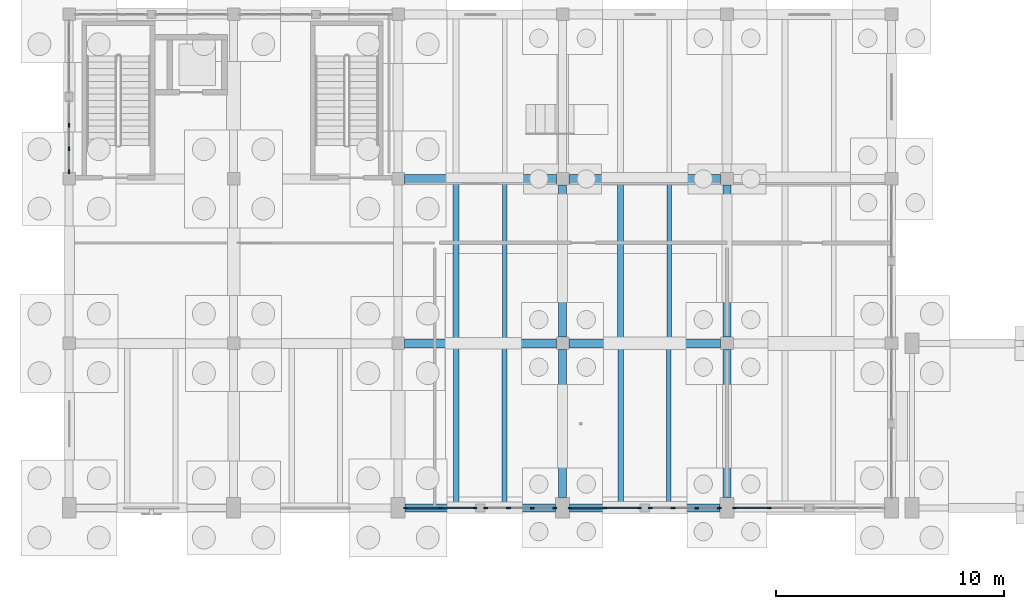
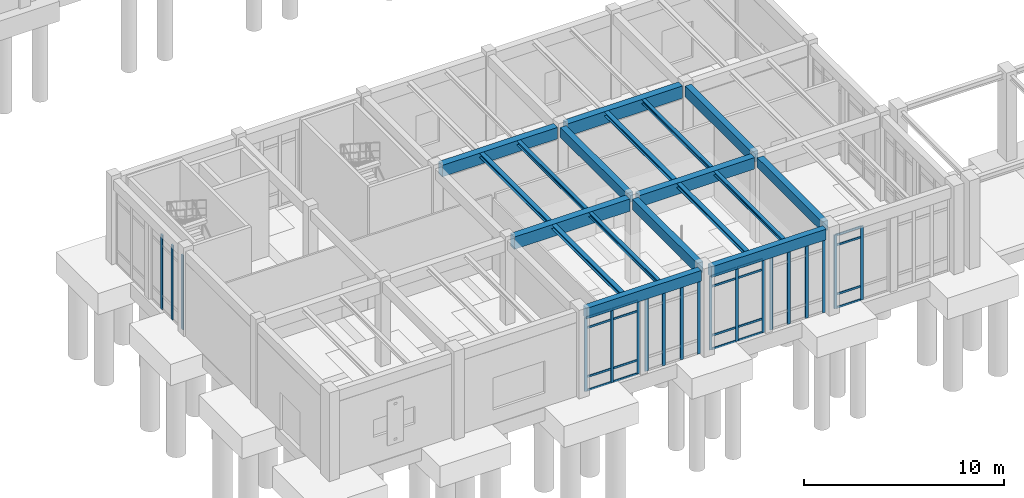
# One storey, part 17 of 93: 39 members, 18 beams, 6 elements without a shape of their own.
"""IFC4 building model written with IfcOpenShell, lengths in metres."""

import ifcopenshell
import ifcopenshell.guid

model = None  # the IFC model being written
_history = None  # IfcOwnerHistory: only IFC2X3 demands one
_inside = {}  # id of a spatial element -> (the spatial element, [elements in it])
_under = {}  # id of a project, library or spatial element -> (it, [spatial elements below it])
_declared = {}  # id of a project -> (the project, [libraries it declares])
_typed = {}  # id of a type object -> (the type object, [elements of that type])
_made_of = {}  # id of a material, layer set ... -> (it, [elements and type objects made of it])


def new_model(schema):
    """Start an empty IFC model of exactly this schema.

    Asked for "IFC4X3", IfcOpenShell would pick the latest addendum, in which some entities
    have other attributes; the version numbers below select the first issue.
    IFC2X3 requires an IfcOwnerHistory on every rooted entity: one is made here for all.
    """
    global model, _history
    if schema == "IFC4X3":
        model = ifcopenshell.file(schema_version=(4, 3, 0, 0))
    else:
        model = ifcopenshell.file(schema=schema)
    _inside.clear()
    _under.clear()
    _declared.clear()
    _typed.clear()
    _made_of.clear()
    _history = None
    if model.schema == "IFC2X3":
        org = make("IfcOrganization", Name="unknown")
        user = make(
            "IfcPersonAndOrganization",
            ThePerson=make("IfcPerson", FamilyName="unknown"),
            TheOrganization=org,
        )
        app = make(
            "IfcApplication",
            ApplicationDeveloper=org,
            Version="unknown",
            ApplicationFullName="unknown",
            ApplicationIdentifier="unknown",
        )
        _history = make(
            "IfcOwnerHistory",
            OwningUser=user,
            OwningApplication=app,
            ChangeAction="ADDED",
            CreationDate=0,
        )
    return model


def make(cls, **values):
    """One entity of the class cls with the attributes given. An attribute that is None is left unset."""
    return model.create_entity(
        cls, **{name: value for name, value in values.items() if value is not None}
    )


def rooted(cls, **values):
    """An entity with a GlobalId (a new one), such as an element, a storey or a relation."""
    return make(cls, GlobalId=ifcopenshell.guid.new(), OwnerHistory=_history, **values)


def si_unit(unit_type, name, prefix=None):
    """IfcSIUnit, for example si_unit("LENGTHUNIT", "METRE", prefix="MILLI")."""
    return make("IfcSIUnit", UnitType=unit_type, Prefix=prefix, Name=name)


def assignment(units):
    """IfcUnitAssignment: the units of a project."""
    return None if units is None else make("IfcUnitAssignment", Units=units)


def point(xyz):
    """IfcCartesianPoint."""
    return None if xyz is None else make("IfcCartesianPoint", Coordinates=xyz)


def direction(xyz):
    """IfcDirection."""
    return None if xyz is None else make("IfcDirection", DirectionRatios=xyz)


def frame(location, z_axis=None, x_axis=None):
    """IfcAxis2Placement3D, a coordinate frame: its origin and axes. An axis left out is left unset."""
    return make(
        "IfcAxis2Placement3D",
        Location=point(location),
        Axis=direction(z_axis),
        RefDirection=direction(x_axis),
    )


def frame_2d(location, x_axis=None):
    """IfcAxis2Placement2D, a coordinate frame in the plane: its origin and x axis."""
    return make(
        "IfcAxis2Placement2D", Location=point(location), RefDirection=direction(x_axis)
    )


def origin():
    """The frame at (0, 0, 0) with its axes left unset."""
    return frame((0.0, 0.0, 0.0))


def origin_2d():
    """The frame at (0, 0) in the plane with its x axis left unset."""
    return frame_2d((0.0, 0.0))


def place(relative_to, where):
    """IfcLocalPlacement: puts the frame where relative to a parent placement (None: the world)."""
    return make(
        "IfcLocalPlacement", PlacementRelTo=relative_to, RelativePlacement=where
    )


def context(
    kind, dimensions, precision=None, world=None, true_north=None, identifier=None
):
    """IfcGeometricRepresentationContext, for example the 3D "Model" context."""
    return make(
        "IfcGeometricRepresentationContext",
        ContextIdentifier=identifier,
        ContextType=kind,
        CoordinateSpaceDimension=dimensions,
        Precision=precision,
        WorldCoordinateSystem=world,
        TrueNorth=true_north,
    )


def subcontext(parent, identifier, kind, view, scale=None):
    """IfcGeometricRepresentationSubContext, for example "Body" below "Model"."""
    return make(
        "IfcGeometricRepresentationSubContext",
        ContextIdentifier=identifier,
        ContextType=kind,
        ParentContext=parent,
        TargetScale=scale,
        TargetView=view,
    )


def project(units=None, contexts=None):
    """IfcProject with its units and contexts."""
    return rooted(
        "IfcProject",
        Name="project",
        RepresentationContexts=contexts,
        UnitsInContext=assignment(units),
    )


def spatial(cls, under=None, at=None, **own):
    """A site, building, storey or space (cls), placed at a placement, below another one or the project."""
    s = rooted(cls, ObjectPlacement=at, **own)
    if under is not None:
        _under.setdefault(under.id(), (under, []))[1].append(s)
    return s


def profile(cls, at=None, kind="AREA", **sizes):
    """A parametric profile (cls). Its sizes go by their IFC names, for example OverallWidth=200.0."""
    return make(cls, ProfileType=kind, Position=at, **sizes)


def rectangle(**sizes):
    """IfcRectangleProfileDef."""
    return profile("IfcRectangleProfileDef", **sizes)


def i_section(**sizes):
    """IfcIShapeProfileDef."""
    return profile("IfcIShapeProfileDef", **sizes)


def extrude(swept, where, along, depth):
    """IfcExtrudedAreaSolid: the profile swept, set in the frame where, extruded along a direction by depth."""
    return make(
        "IfcExtrudedAreaSolid",
        SweptArea=swept,
        Position=where,
        ExtrudedDirection=direction(along),
        Depth=depth,
    )


def shape(context_of_items, identifier, shape_type, items):
    """IfcShapeRepresentation: the items that make up one representation, for example the "Body"."""
    return make(
        "IfcShapeRepresentation",
        ContextOfItems=context_of_items,
        RepresentationIdentifier=identifier,
        RepresentationType=shape_type,
        Items=items,
    )


def material(Name=None, Category=None):
    """IfcMaterial."""
    return make("IfcMaterial", Name=Name, Category=Category)


def layer(
    of_material, thickness, ventilated=None, Name=None, Category=None, Priority=None
):
    """IfcMaterialLayer: one layer of a wall or slab, of a material (None: an air gap)."""
    return make(
        "IfcMaterialLayer",
        Material=of_material,
        LayerThickness=thickness,
        IsVentilated=ventilated,
        Name=Name,
        Category=Category,
        Priority=Priority,
    )


def layer_set(layers, Name=None):
    """IfcMaterialLayerSet."""
    return make("IfcMaterialLayerSet", MaterialLayers=layers, LayerSetName=Name)


def material_profile(
    of_material, cross_section, Name=None, Category=None, Priority=None
):
    """IfcMaterialProfile: a cross section and its material."""
    return make(
        "IfcMaterialProfile",
        Name=Name,
        Material=of_material,
        Profile=cross_section,
        Priority=Priority,
        Category=Category,
    )


def profile_set(profiles, Name=None, composite=None):
    """IfcMaterialProfileSet."""
    return make(
        "IfcMaterialProfileSet",
        Name=Name,
        MaterialProfiles=profiles,
        CompositeProfile=composite,
    )


def made_of(thing, what):
    """Note that an element or type object is made of a material, layer set ...; save() writes the relation."""
    if what is not None:
        _made_of.setdefault(what.id(), (what, []))[1].append(thing)
    return thing


def type_object(cls, material=None, **own):
    """A type object (cls), such as IfcWallType, which elements share."""
    return made_of(rooted(cls, **own), material)


def element(
    cls,
    number,
    at=None,
    inside=None,
    cuts=None,
    type_object=None,
    material=None,
    context=None,
    identifier="Body",
    shape_type=None,
    held_by="IfcProductDefinitionShape",
    body=None,
    shapes=None,
    **own,
):
    """One element of the class cls, such as IfcWall. Its Tag is "e" and its number.

    at: its placement. inside: the storey or other place that contains it. cuts: it is an
    opening in that element (IfcRelVoidsElement). A single representation is given by context,
    identifier, shape_type and body (its items); several are given by shapes. held_by: the class
    of the entity that holds the representations. save() writes the other relations.
    """
    e = rooted(cls, Tag="e%d" % number, ObjectPlacement=at, **own)
    if body is not None:
        shapes = [shape(context, identifier, shape_type, body)]
    if shapes is not None:
        e.Representation = make(held_by, Representations=shapes)
    if inside is not None:
        _inside.setdefault(inside.id(), (inside, []))[1].append(e)
    if cuts is not None:
        rooted(
            "IfcRelVoidsElement", RelatingBuildingElement=cuts, RelatedOpeningElement=e
        )
    if type_object is not None:
        _typed.setdefault(type_object.id(), (type_object, []))[1].append(e)
    return made_of(e, material)


def aggregate(whole, parts):
    """IfcRelAggregates: a whole, such as a stair, and the parts it consists of."""
    return rooted("IfcRelAggregates", RelatingObject=whole, RelatedObjects=parts)


def save(model, path):
    """Write the relations noted so far, then the file.

    IfcRelAggregates (storeys below a building ...), IfcRelContainedInSpatialStructure (elements
    in a storey), IfcRelDefinesByType, IfcRelAssociatesMaterial and IfcRelDeclares: one each for
    every whole, place, type object, material and project.
    """
    for whole, parts in _under.values():
        aggregate(whole, parts)
    for where, things in _inside.values():
        rooted(
            "IfcRelContainedInSpatialStructure",
            RelatedElements=things,
            RelatingStructure=where,
        )
    for kind, things in _typed.values():
        rooted("IfcRelDefinesByType", RelatedObjects=things, RelatingType=kind)
    for what, things in _made_of.values():
        rooted("IfcRelAssociatesMaterial", RelatedObjects=things, RelatingMaterial=what)
    for by, libraries in _declared.values():
        rooted("IfcRelDeclares", RelatingContext=by, RelatedDefinitions=libraries)
    model.write(path)


model = new_model("IFC4")

# Units and contexts
model_context = context("Model", 3, precision=1e-05, world=origin(), true_north=direction((0.0, 1.0)))
body_context = subcontext(model_context, "Body", "Model", "MODEL_VIEW")
ifc_project = project(units=[si_unit("LENGTHUNIT", "METRE"), si_unit("AREAUNIT", "SQUARE_METRE"), si_unit("VOLUMEUNIT", "CUBIC_METRE"), si_unit("PLANEANGLEUNIT", "RADIAN"), si_unit("MASSUNIT", "GRAM", prefix="KILO")], contexts=[model_context])

# Site, building, storey
site_placement = place(None, origin())
site = spatial("IfcSite", under=ifc_project, at=site_placement, CompositionType="ELEMENT")
building_placement = place(site_placement, origin())
building = spatial("IfcBuilding", under=site, at=building_placement, Name="Koriwan Promenade Central Fire Station", CompositionType="ELEMENT")
storey_placement = place(building_placement, origin())
storey = spatial("IfcBuildingStorey", under=building, at=storey_placement, Name="L00", CompositionType="ELEMENT", Elevation=0.0)

# Beams
ifc_material_1 = material(Name="Concrete C35/45", Category="concrete")
ifc_material_profile_1 = material_profile(ifc_material_1, rectangle(XDim=0.35009765625, YDim=0.60009765625, at=origin_2d()), Name="RC-BM-350x600")
ifc_profile_set_1 = profile_set([ifc_material_profile_1], Name="Concrete C35/45")
beam_type_1 = type_object("IfcBeamType", Name="Beam_RC-BM-350x600", PredefinedType="BEAM", material=ifc_profile_set_1)
beam_1_placement = place(storey_placement, frame((21.60009765625, 7.47509765625, 4.85009765625), z_axis=(0.0, 1.0, 0.0), x_axis=(-1.0, 0.0, 0.0)))
element("IfcBeam", 1, at=beam_1_placement, inside=storey, type_object=beam_type_1, Name="V3 L00 girder Y-240", PredefinedType="BEAM", context=body_context, shape_type="SweptSolid", body=[
    extrude(rectangle(XDim=0.35009765625, YDim=0.60009765625, at=origin_2d()), origin(), (0.0, 0.0, 1.0), 6.64990234375),
])
beam_2_placement = place(storey_placement, frame((28.800048828125, 0.449951171875, 4.85009765625), z_axis=(0.0, 1.0, 0.0), x_axis=(-1.0, 0.0, 0.0)))
element("IfcBeam", 2, at=beam_2_placement, inside=storey, type_object=beam_type_1, Name="V3 L00 girder Y-242", PredefinedType="BEAM", context=body_context, shape_type="SweptSolid", body=[
    extrude(rectangle(XDim=0.35009765625, YDim=0.60009765625, at=origin_2d()), origin(), (0.0, 0.0, 1.0), 6.47509765625),
])
ifc_material_profile_2 = material_profile(ifc_material_1, rectangle(XDim=0.35009765625, YDim=0.64990234375, at=origin_2d()), Name="RC-BM-350x650")
ifc_profile_set_2 = profile_set([ifc_material_profile_2], Name="Concrete C35/45")
beam_type_2 = type_object("IfcBeamType", Name="Beam_RC-BM-350x650", PredefinedType="BEAM", material=ifc_profile_set_2)
beam_3_placement = place(storey_placement, frame((21.60009765625, 0.449951171875, 4.824951171875), z_axis=(0.0, 1.0, 0.0), x_axis=(-1.0, 0.0, 0.0)))
element("IfcBeam", 3, at=beam_3_placement, inside=storey, type_object=beam_type_2, Name="V3 L00 girder Y-239", PredefinedType="BEAM", context=body_context, shape_type="SweptSolid", body=[
    extrude(rectangle(XDim=0.35009765625, YDim=0.64990234375, at=origin_2d()), origin(), (0.0, 0.0, 1.0), 6.47509765625),
])
beam_4_placement = place(storey_placement, frame((28.800048828125, 7.47509765625, 4.824951171875), z_axis=(0.0, 1.0, 0.0), x_axis=(-1.0, 0.0, 0.0)))
element("IfcBeam", 4, at=beam_4_placement, inside=storey, type_object=beam_type_2, Name="V3 L00 girder Y-243", PredefinedType="BEAM", context=body_context, shape_type="SweptSolid", body=[
    extrude(rectangle(XDim=0.35009765625, YDim=0.64990234375, at=origin_2d()), origin(), (0.0, 0.0, 1.0), 6.64990234375),
])
ifc_material_profile_3 = material_profile(ifc_material_1, rectangle(XDim=0.39990234375, YDim=0.699951171875, at=origin_2d()), Name="RC-BM-400x700")
ifc_profile_set_3 = profile_set([ifc_material_profile_3], Name="Concrete C35/45")
beam_type_3 = type_object("IfcBeamType", Name="Beam_RC-BM-400x700", PredefinedType="BEAM", material=ifc_profile_set_3)
for number, where, z_axis, x_axis, name in (
    (5, (21.875, 7.199951171875, 4.800048828125), (1.0, 0.0, 0.0), (0.0, 1.0, 0.0), "V3 L00 girder X-220"),
    (6, (14.675048828125, 14.39990234375, 4.800048828125), (1.0, 0.0, 0.0), (0.0, 1.0, 0.0), "V3 L00 girder X-222"),
):
    element("IfcBeam", number, at=place(storey_placement, frame(where, z_axis=z_axis, x_axis=x_axis)), inside=storey, type_object=beam_type_3, Name=name, PredefinedType="BEAM", context=body_context, shape_type="SweptSolid", body=[
        extrude(rectangle(XDim=0.39990234375, YDim=0.699951171875, at=origin_2d()), origin(), (0.0, 0.0, 1.0), 6.64990234375),
    ])
ifc_material_profile_4 = material_profile(ifc_material_1, rectangle(XDim=0.39990234375, YDim=0.75, at=origin_2d()), Name="RC-BM-400x750")
ifc_profile_set_4 = profile_set([ifc_material_profile_4], Name="Concrete C35/45")
beam_type_4 = type_object("IfcBeamType", Name="Beam_RC-BM-400x750", PredefinedType="BEAM", material=ifc_profile_set_4)
for number, where, z_axis, x_axis, name in (
    (7, (14.675048828125, 7.199951171875, 4.77490234375), (1.0, 0.0, 0.0), (0.0, 1.0, 0.0), "V3 L00 girder X-219"),
    (8, (21.875, 14.39990234375, 4.77490234375), (1.0, 0.0, 0.0), (0.0, 1.0, 0.0), "V3 L00 girder X-223"),
):
    element("IfcBeam", number, at=place(storey_placement, frame(where, z_axis=z_axis, x_axis=x_axis)), inside=storey, type_object=beam_type_4, Name=name, PredefinedType="BEAM", context=body_context, shape_type="SweptSolid", body=[
        extrude(rectangle(XDim=0.39990234375, YDim=0.75, at=origin_2d()), origin(), (0.0, 0.0, 1.0), 6.64990234375),
    ])
ifc_material_profile_5 = material_profile(ifc_material_1, rectangle(XDim=0.35009765625, YDim=0.64990234375, at=origin_2d()), Name="RC-SP-350x650")
ifc_profile_set_5 = profile_set([ifc_material_profile_5], Name="Concrete C35/45")
beam_type_5 = type_object("IfcBeamType", Name="Beam_RC-SP-350x650", PredefinedType="SPANDREL", material=ifc_profile_set_5)
for number, where, z_axis, x_axis, name in (
    (9, (14.699951171875, 0.0, 4.824951171875), (1.0, 0.0, 0.0), (0.0, 1.0, 0.0), "V3 L00 girder X-214"),
    (10, (21.89990234375, 0.0, 4.824951171875), (1.0, 0.0, 0.0), (0.0, 1.0, 0.0), "V3 L00 girder X-215"),
):
    element("IfcBeam", number, at=place(storey_placement, frame(where, z_axis=z_axis, x_axis=x_axis)), inside=storey, type_object=beam_type_5, Name=name, PredefinedType="SPANDREL", context=body_context, shape_type="SweptSolid", body=[
        extrude(rectangle(XDim=0.35009765625, YDim=0.64990234375, at=origin_2d()), origin(), (0.0, 0.0, 1.0), 6.60009765625),
    ])

# Curtain wall, members
ifc_material_2 = material(Name="Aluminium EN AW-6063-T6 and low-E glazing", Category="aluminium")
ifc_layer_1 = layer(ifc_material_2, 0.159912109375, Name="Aluminium EN AW-6063-T6 and low-E glazing")
ifc_layer_set_1 = layer_set([ifc_layer_1], Name="Aluminium EN AW-6063-T6 and low-E glazing")
curtain_wall_type_1 = type_object("IfcCurtainWallType", Name="CurtainWall_24_310x449", PredefinedType="USERDEFINED", material=ifc_layer_set_1)
curtain_wall_1_placement = place(storey_placement, origin())
curtain_wall_1 = element("IfcCurtainWall", 11, at=curtain_wall_1_placement, inside=storey, type_object=curtain_wall_type_1, Name="V3 L00 unitised curtain wall 061", ObjectType="UNITISED CURTAIN WALL", PredefinedType="USERDEFINED")
ifc_material_3 = material(Name="Aluminium EN AW-6063-T6", Category="aluminium")
ifc_material_profile_6 = material_profile(ifc_material_3, rectangle(XDim=0.06494140625, YDim=0.159912109375, at=origin_2d()), Name="ALU-MUL-65x160")
ifc_profile_set_6 = profile_set([ifc_material_profile_6], Name="Aluminium EN AW-6063-T6")
member_type_1 = type_object("IfcMemberType", Name="CWMullion_ALU-MUL-65x160", PredefinedType="MULLION", material=ifc_profile_set_6)
member_1_placement = place(storey_placement, frame((14.732421875, 0.0, 0.0), z_axis=(0.0, 0.0, 1.0), x_axis=(0.0, 1.0, 0.0)))
member_1 = element("IfcMember", 12, at=member_1_placement, type_object=member_type_1, Name="CW-24 mullion 1", PredefinedType="MULLION", context=body_context, shape_type="SweptSolid", body=[
    extrude(rectangle(XDim=0.06494140625, YDim=0.159912109375, at=origin_2d()), origin(), (0.0, 0.0, 1.0), 4.489990234375),
])
member_2_placement = place(storey_placement, frame((16.25, 0.0, 0.0), z_axis=(0.0, 0.0, 1.0), x_axis=(0.0, 1.0, 0.0)))
member_2 = element("IfcMember", 13, at=member_2_placement, type_object=member_type_1, Name="CW-24 mullion 2", PredefinedType="MULLION", context=body_context, shape_type="SweptSolid", body=[
    extrude(rectangle(XDim=0.06494140625, YDim=0.159912109375, at=origin_2d()), origin(), (0.0, 0.0, 1.0), 4.489990234375),
])
member_3_placement = place(storey_placement, frame((17.767578125, 0.0, 0.0), z_axis=(0.0, 0.0, 1.0), x_axis=(0.0, 1.0, 0.0)))
member_3 = element("IfcMember", 14, at=member_3_placement, type_object=member_type_1, Name="CW-24 mullion 3", PredefinedType="MULLION", context=body_context, shape_type="SweptSolid", body=[
    extrude(rectangle(XDim=0.06494140625, YDim=0.159912109375, at=origin_2d()), origin(), (0.0, 0.0, 1.0), 4.489990234375),
])

curtain_wall_2_placement = place(storey_placement, origin())
curtain_wall_2 = element("IfcCurtainWall", 15, at=curtain_wall_2_placement, inside=storey, type_object=curtain_wall_type_1, Name="V3 L00 unitised curtain wall 063", ObjectType="UNITISED CURTAIN WALL", PredefinedType="USERDEFINED")
member_4_placement = place(storey_placement, frame((21.9326171875, 0.0, 0.0), z_axis=(0.0, 0.0, 1.0), x_axis=(0.0, 1.0, 0.0)))
member_4 = element("IfcMember", 16, at=member_4_placement, type_object=member_type_1, Name="CW-24 mullion 1", PredefinedType="MULLION", context=body_context, shape_type="SweptSolid", body=[
    extrude(rectangle(XDim=0.06494140625, YDim=0.159912109375, at=origin_2d()), origin(), (0.0, 0.0, 1.0), 4.489990234375),
])
member_5_placement = place(storey_placement, frame((23.449951171875, 0.0, 0.0), z_axis=(0.0, 0.0, 1.0), x_axis=(0.0, 1.0, 0.0)))
member_5 = element("IfcMember", 17, at=member_5_placement, type_object=member_type_1, Name="CW-24 mullion 2", PredefinedType="MULLION", context=body_context, shape_type="SweptSolid", body=[
    extrude(rectangle(XDim=0.06494140625, YDim=0.159912109375, at=origin_2d()), origin(), (0.0, 0.0, 1.0), 4.489990234375),
])
member_6_placement = place(storey_placement, frame((24.967529296875, 0.0, 0.0), z_axis=(0.0, 0.0, 1.0), x_axis=(0.0, 1.0, 0.0)))
member_6 = element("IfcMember", 18, at=member_6_placement, type_object=member_type_1, Name="CW-24 mullion 3", PredefinedType="MULLION", context=body_context, shape_type="SweptSolid", body=[
    extrude(rectangle(XDim=0.06494140625, YDim=0.159912109375, at=origin_2d()), origin(), (0.0, 0.0, 1.0), 4.489990234375),
])

curtain_wall_3_placement = place(storey_placement, origin())
curtain_wall_3 = element("IfcCurtainWall", 19, at=curtain_wall_3_placement, inside=storey, type_object=curtain_wall_type_1, Name="V3 L00 unitised curtain wall 065", ObjectType="UNITISED CURTAIN WALL", PredefinedType="USERDEFINED")
member_7_placement = place(storey_placement, frame((29.132568359375, 0.0, 0.0), z_axis=(0.0, 0.0, 1.0), x_axis=(0.0, 1.0, 0.0)))
member_7 = element("IfcMember", 20, at=member_7_placement, type_object=member_type_1, Name="CW-24 mullion 1", PredefinedType="MULLION", context=body_context, shape_type="SweptSolid", body=[
    extrude(rectangle(XDim=0.06494140625, YDim=0.159912109375, at=origin_2d()), origin(), (0.0, 0.0, 1.0), 4.489990234375),
])
member_8_placement = place(storey_placement, frame((30.64990234375, 0.0, 0.0), z_axis=(0.0, 0.0, 1.0), x_axis=(0.0, 1.0, 0.0)))
member_8 = element("IfcMember", 21, at=member_8_placement, type_object=member_type_1, Name="CW-24 mullion 2", PredefinedType="MULLION", context=body_context, shape_type="SweptSolid", body=[
    extrude(rectangle(XDim=0.06494140625, YDim=0.159912109375, at=origin_2d()), origin(), (0.0, 0.0, 1.0), 4.489990234375),
])

ifc_layer_2 = layer(ifc_material_2, 0.159912109375, Name="Aluminium EN AW-6063-T6 and low-E glazing")
ifc_layer_set_2 = layer_set([ifc_layer_2], Name="Aluminium EN AW-6063-T6 and low-E glazing")
curtain_wall_type_2 = type_object("IfcCurtainWallType", Name="CurtainWall_19_312x454", PredefinedType="USERDEFINED", material=ifc_layer_set_2)
curtain_wall_4_placement = place(storey_placement, origin())
curtain_wall_4 = element("IfcCurtainWall", 22, at=curtain_wall_4_placement, inside=storey, type_object=curtain_wall_type_2, Name="V3 L00 unitised curtain wall 060", ObjectType="UNITISED CURTAIN WALL", PredefinedType="USERDEFINED")
ifc_material_profile_7 = material_profile(ifc_material_3, rectangle(XDim=0.074951171875, YDim=0.179931640625, at=origin_2d()), Name="ALU-MUL-75x180")
ifc_profile_set_7 = profile_set([ifc_material_profile_7], Name="Aluminium EN AW-6063-T6")
member_type_2 = type_object("IfcMemberType", Name="CWMullion_ALU-MUL-75x180", PredefinedType="MULLION", material=ifc_profile_set_7)
member_9_placement = place(storey_placement, frame((0.0, 16.75830078125, 0.0), z_axis=(0.0, 0.0, 1.0), x_axis=(1.0, 0.0, 0.0)))
member_9 = element("IfcMember", 23, at=member_9_placement, type_object=member_type_2, Name="CW-19 mullion 2", PredefinedType="MULLION", context=body_context, shape_type="SweptSolid", body=[
    extrude(rectangle(XDim=0.074951171875, YDim=0.179931640625, at=origin_2d()), origin(), (0.0, 0.0, 1.0), 4.5400390625),
])
member_10_placement = place(storey_placement, frame((0.0, 15.716552734375, 0.0), z_axis=(0.0, 0.0, 1.0), x_axis=(1.0, 0.0, 0.0)))
member_10 = element("IfcMember", 24, at=member_10_placement, type_object=member_type_2, Name="CW-19 mullion 3", PredefinedType="MULLION", context=body_context, shape_type="SweptSolid", body=[
    extrude(rectangle(XDim=0.074951171875, YDim=0.179931640625, at=origin_2d()), origin(), (0.0, 0.0, 1.0), 4.5400390625),
])
member_11_placement = place(storey_placement, frame((0.0, 14.71240234375, 0.0), z_axis=(0.0, 0.0, 1.0), x_axis=(1.0, 0.0, 0.0)))
member_11 = element("IfcMember", 25, at=member_11_placement, type_object=member_type_2, Name="CW-19 mullion 4", PredefinedType="MULLION", context=body_context, shape_type="SweptSolid", body=[
    extrude(rectangle(XDim=0.074951171875, YDim=0.179931640625, at=origin_2d()), origin(), (0.0, 0.0, 1.0), 4.5400390625),
])
aggregate(curtain_wall_4, [member_9, member_10, member_11])

ifc_layer_3 = layer(ifc_material_2, 0.159912109375, Name="Aluminium EN AW-6063-T6 and low-E glazing")
ifc_layer_set_3 = layer_set([ifc_layer_3], Name="Aluminium EN AW-6063-T6 and low-E glazing")
curtain_wall_type_3 = type_object("IfcCurtainWallType", Name="CurtainWall_25_310x449", PredefinedType="USERDEFINED", material=ifc_layer_set_3)
curtain_wall_5_placement = place(storey_placement, origin())
curtain_wall_5 = element("IfcCurtainWall", 26, at=curtain_wall_5_placement, inside=storey, type_object=curtain_wall_type_3, Name="V3 L00 unitised curtain wall 062", ObjectType="UNITISED CURTAIN WALL", PredefinedType="USERDEFINED")
member_12_placement = place(storey_placement, frame((18.237548828125, 0.0, 0.0), z_axis=(0.0, 0.0, 1.0), x_axis=(0.0, 1.0, 0.0)))
member_12 = element("IfcMember", 27, at=member_12_placement, type_object=member_type_2, Name="CW-25 mullion 1", PredefinedType="MULLION", context=body_context, shape_type="SweptSolid", body=[
    extrude(rectangle(XDim=0.074951171875, YDim=0.179931640625, at=origin_2d()), origin(), (0.0, 0.0, 1.0), 4.489990234375),
])
member_13_placement = place(storey_placement, frame((19.2333984375, 0.0, 0.0), z_axis=(0.0, 0.0, 1.0), x_axis=(0.0, 1.0, 0.0)))
member_13 = element("IfcMember", 28, at=member_13_placement, type_object=member_type_2, Name="CW-25 mullion 2", PredefinedType="MULLION", context=body_context, shape_type="SweptSolid", body=[
    extrude(rectangle(XDim=0.074951171875, YDim=0.179931640625, at=origin_2d()), origin(), (0.0, 0.0, 1.0), 4.489990234375),
])
member_14_placement = place(storey_placement, frame((20.2666015625, 0.0, 0.0), z_axis=(0.0, 0.0, 1.0), x_axis=(0.0, 1.0, 0.0)))
member_14 = element("IfcMember", 29, at=member_14_placement, type_object=member_type_2, Name="CW-25 mullion 3", PredefinedType="MULLION", context=body_context, shape_type="SweptSolid", body=[
    extrude(rectangle(XDim=0.074951171875, YDim=0.179931640625, at=origin_2d()), origin(), (0.0, 0.0, 1.0), 4.489990234375),
])
member_15_placement = place(storey_placement, frame((21.262451171875, 0.0, 0.0), z_axis=(0.0, 0.0, 1.0), x_axis=(0.0, 1.0, 0.0)))
member_15 = element("IfcMember", 30, at=member_15_placement, type_object=member_type_2, Name="CW-25 mullion 4", PredefinedType="MULLION", context=body_context, shape_type="SweptSolid", body=[
    extrude(rectangle(XDim=0.074951171875, YDim=0.179931640625, at=origin_2d()), origin(), (0.0, 0.0, 1.0), 4.489990234375),
])
aggregate(curtain_wall_5, [member_12, member_13, member_14, member_15])

curtain_wall_6_placement = place(storey_placement, origin())
curtain_wall_6 = element("IfcCurtainWall", 31, at=curtain_wall_6_placement, inside=storey, type_object=curtain_wall_type_3, Name="V3 L00 unitised curtain wall 064", ObjectType="UNITISED CURTAIN WALL", PredefinedType="USERDEFINED")
member_16_placement = place(storey_placement, frame((25.4375, 0.0, 0.0), z_axis=(0.0, 0.0, 1.0), x_axis=(0.0, 1.0, 0.0)))
member_16 = element("IfcMember", 32, at=member_16_placement, type_object=member_type_2, Name="CW-25 mullion 1", PredefinedType="MULLION", context=body_context, shape_type="SweptSolid", body=[
    extrude(rectangle(XDim=0.074951171875, YDim=0.179931640625, at=origin_2d()), origin(), (0.0, 0.0, 1.0), 4.489990234375),
])
member_17_placement = place(storey_placement, frame((26.433349609375, 0.0, 0.0), z_axis=(0.0, 0.0, 1.0), x_axis=(0.0, 1.0, 0.0)))
member_17 = element("IfcMember", 33, at=member_17_placement, type_object=member_type_2, Name="CW-25 mullion 2", PredefinedType="MULLION", context=body_context, shape_type="SweptSolid", body=[
    extrude(rectangle(XDim=0.074951171875, YDim=0.179931640625, at=origin_2d()), origin(), (0.0, 0.0, 1.0), 4.489990234375),
])
member_18_placement = place(storey_placement, frame((27.466552734375, 0.0, 0.0), z_axis=(0.0, 0.0, 1.0), x_axis=(0.0, 1.0, 0.0)))
member_18 = element("IfcMember", 34, at=member_18_placement, type_object=member_type_2, Name="CW-25 mullion 3", PredefinedType="MULLION", context=body_context, shape_type="SweptSolid", body=[
    extrude(rectangle(XDim=0.074951171875, YDim=0.179931640625, at=origin_2d()), origin(), (0.0, 0.0, 1.0), 4.489990234375),
])
member_19_placement = place(storey_placement, frame((28.46240234375, 0.0, 0.0), z_axis=(0.0, 0.0, 1.0), x_axis=(0.0, 1.0, 0.0)))
member_19 = element("IfcMember", 35, at=member_19_placement, type_object=member_type_2, Name="CW-25 mullion 4", PredefinedType="MULLION", context=body_context, shape_type="SweptSolid", body=[
    extrude(rectangle(XDim=0.074951171875, YDim=0.179931640625, at=origin_2d()), origin(), (0.0, 0.0, 1.0), 4.489990234375),
])
aggregate(curtain_wall_6, [member_16, member_17, member_18, member_19])

# Member
ifc_material_profile_8 = material_profile(ifc_material_3, rectangle(XDim=0.06494140625, YDim=0.1201171875, at=origin_2d()), Name="ALU-TRN-65x120")
ifc_profile_set_8 = profile_set([ifc_material_profile_8], Name="Aluminium EN AW-6063-T6")
member_type_3 = type_object("IfcMemberType", Name="CWTransom_ALU-TRN-65x120", PredefinedType="USERDEFINED", material=ifc_profile_set_8)
member_20_placement = place(storey_placement, frame((14.764892578125, 0.0, 0.032470703125), z_axis=(1.0, 0.0, 0.0), x_axis=(0.0, 1.0, 0.0)))
member_20 = element("IfcMember", 36, at=member_20_placement, type_object=member_type_3, Name="CW-24 transom 1.1", ObjectType="TRANSOM", PredefinedType="USERDEFINED", context=body_context, shape_type="SweptSolid", body=[
    extrude(rectangle(XDim=0.06494140625, YDim=0.1201171875, at=origin_2d()), origin(), (0.0, 0.0, 1.0), 1.45263671875),
])

member_21_placement = place(storey_placement, frame((14.764892578125, 0.0, 0.85009765625), z_axis=(1.0, 0.0, 0.0), x_axis=(0.0, 1.0, 0.0)))
member_21 = element("IfcMember", 37, at=member_21_placement, type_object=member_type_3, Name="CW-24 transom 1.2", ObjectType="TRANSOM", PredefinedType="USERDEFINED", context=body_context, shape_type="SweptSolid", body=[
    extrude(rectangle(XDim=0.06494140625, YDim=0.1201171875, at=origin_2d()), origin(), (0.0, 0.0, 1.0), 1.45263671875),
])

member_22_placement = place(storey_placement, frame((14.764892578125, 0.0, 3.840087890625), z_axis=(1.0, 0.0, 0.0), x_axis=(0.0, 1.0, 0.0)))
member_22 = element("IfcMember", 38, at=member_22_placement, type_object=member_type_3, Name="CW-24 transom 1.3", ObjectType="TRANSOM", PredefinedType="USERDEFINED", context=body_context, shape_type="SweptSolid", body=[
    extrude(rectangle(XDim=0.06494140625, YDim=0.1201171875, at=origin_2d()), origin(), (0.0, 0.0, 1.0), 1.45263671875),
])

member_23_placement = place(storey_placement, frame((14.764892578125, 0.0, 4.45751953125), z_axis=(1.0, 0.0, 0.0), x_axis=(0.0, 1.0, 0.0)))
member_23 = element("IfcMember", 39, at=member_23_placement, type_object=member_type_3, Name="CW-24 transom 1.4", ObjectType="TRANSOM", PredefinedType="USERDEFINED", context=body_context, shape_type="SweptSolid", body=[
    extrude(rectangle(XDim=0.06494140625, YDim=0.1201171875, at=origin_2d()), origin(), (0.0, 0.0, 1.0), 1.45263671875),
])

member_24_placement = place(storey_placement, frame((16.282470703125, 0.0, 0.032470703125), z_axis=(1.0, 0.0, 0.0), x_axis=(0.0, 1.0, 0.0)))
member_24 = element("IfcMember", 40, at=member_24_placement, type_object=member_type_3, Name="CW-24 transom 2.1", ObjectType="TRANSOM", PredefinedType="USERDEFINED", context=body_context, shape_type="SweptSolid", body=[
    extrude(rectangle(XDim=0.06494140625, YDim=0.1201171875, at=origin_2d()), origin(), (0.0, 0.0, 1.0), 1.45263671875),
])

member_25_placement = place(storey_placement, frame((16.282470703125, 0.0, 0.85009765625), z_axis=(1.0, 0.0, 0.0), x_axis=(0.0, 1.0, 0.0)))
member_25 = element("IfcMember", 41, at=member_25_placement, type_object=member_type_3, Name="CW-24 transom 2.2", ObjectType="TRANSOM", PredefinedType="USERDEFINED", context=body_context, shape_type="SweptSolid", body=[
    extrude(rectangle(XDim=0.06494140625, YDim=0.1201171875, at=origin_2d()), origin(), (0.0, 0.0, 1.0), 1.45263671875),
])

member_26_placement = place(storey_placement, frame((16.282470703125, 0.0, 3.840087890625), z_axis=(1.0, 0.0, 0.0), x_axis=(0.0, 1.0, 0.0)))
member_26 = element("IfcMember", 42, at=member_26_placement, type_object=member_type_3, Name="CW-24 transom 2.3", ObjectType="TRANSOM", PredefinedType="USERDEFINED", context=body_context, shape_type="SweptSolid", body=[
    extrude(rectangle(XDim=0.06494140625, YDim=0.1201171875, at=origin_2d()), origin(), (0.0, 0.0, 1.0), 1.45263671875),
])

member_27_placement = place(storey_placement, frame((16.282470703125, 0.0, 4.45751953125), z_axis=(1.0, 0.0, 0.0), x_axis=(0.0, 1.0, 0.0)))
member_27 = element("IfcMember", 43, at=member_27_placement, type_object=member_type_3, Name="CW-24 transom 2.4", ObjectType="TRANSOM", PredefinedType="USERDEFINED", context=body_context, shape_type="SweptSolid", body=[
    extrude(rectangle(XDim=0.06494140625, YDim=0.1201171875, at=origin_2d()), origin(), (0.0, 0.0, 1.0), 1.45263671875),
])

aggregate(curtain_wall_1, [member_1, member_2, member_3, member_20, member_21, member_22, member_23, member_24, member_25, member_26, member_27])

member_28_placement = place(storey_placement, frame((21.965087890625, 0.0, 0.032470703125), z_axis=(1.0, 0.0, 0.0), x_axis=(0.0, 1.0, 0.0)))
member_28 = element("IfcMember", 44, at=member_28_placement, type_object=member_type_3, Name="CW-24 transom 1.1", ObjectType="TRANSOM", PredefinedType="USERDEFINED", context=body_context, shape_type="SweptSolid", body=[
    extrude(rectangle(XDim=0.06494140625, YDim=0.1201171875, at=origin_2d()), origin(), (0.0, 0.0, 1.0), 1.452392578125),
])

member_29_placement = place(storey_placement, frame((21.965087890625, 0.0, 0.85009765625), z_axis=(1.0, 0.0, 0.0), x_axis=(0.0, 1.0, 0.0)))
member_29 = element("IfcMember", 45, at=member_29_placement, type_object=member_type_3, Name="CW-24 transom 1.2", ObjectType="TRANSOM", PredefinedType="USERDEFINED", context=body_context, shape_type="SweptSolid", body=[
    extrude(rectangle(XDim=0.06494140625, YDim=0.1201171875, at=origin_2d()), origin(), (0.0, 0.0, 1.0), 1.452392578125),
])

member_30_placement = place(storey_placement, frame((21.965087890625, 0.0, 3.840087890625), z_axis=(1.0, 0.0, 0.0), x_axis=(0.0, 1.0, 0.0)))
member_30 = element("IfcMember", 46, at=member_30_placement, type_object=member_type_3, Name="CW-24 transom 1.3", ObjectType="TRANSOM", PredefinedType="USERDEFINED", context=body_context, shape_type="SweptSolid", body=[
    extrude(rectangle(XDim=0.06494140625, YDim=0.1201171875, at=origin_2d()), origin(), (0.0, 0.0, 1.0), 1.452392578125),
])

member_31_placement = place(storey_placement, frame((21.965087890625, 0.0, 4.45751953125), z_axis=(1.0, 0.0, 0.0), x_axis=(0.0, 1.0, 0.0)))
member_31 = element("IfcMember", 47, at=member_31_placement, type_object=member_type_3, Name="CW-24 transom 1.4", ObjectType="TRANSOM", PredefinedType="USERDEFINED", context=body_context, shape_type="SweptSolid", body=[
    extrude(rectangle(XDim=0.06494140625, YDim=0.1201171875, at=origin_2d()), origin(), (0.0, 0.0, 1.0), 1.452392578125),
])

member_32_placement = place(storey_placement, frame((23.482421875, 0.0, 0.032470703125), z_axis=(1.0, 0.0, 0.0), x_axis=(0.0, 1.0, 0.0)))
member_32 = element("IfcMember", 48, at=member_32_placement, type_object=member_type_3, Name="CW-24 transom 2.1", ObjectType="TRANSOM", PredefinedType="USERDEFINED", context=body_context, shape_type="SweptSolid", body=[
    extrude(rectangle(XDim=0.06494140625, YDim=0.1201171875, at=origin_2d()), origin(), (0.0, 0.0, 1.0), 1.45263671875),
])

member_33_placement = place(storey_placement, frame((23.482421875, 0.0, 0.85009765625), z_axis=(1.0, 0.0, 0.0), x_axis=(0.0, 1.0, 0.0)))
member_33 = element("IfcMember", 49, at=member_33_placement, type_object=member_type_3, Name="CW-24 transom 2.2", ObjectType="TRANSOM", PredefinedType="USERDEFINED", context=body_context, shape_type="SweptSolid", body=[
    extrude(rectangle(XDim=0.06494140625, YDim=0.1201171875, at=origin_2d()), origin(), (0.0, 0.0, 1.0), 1.45263671875),
])

member_34_placement = place(storey_placement, frame((23.482421875, 0.0, 3.840087890625), z_axis=(1.0, 0.0, 0.0), x_axis=(0.0, 1.0, 0.0)))
member_34 = element("IfcMember", 50, at=member_34_placement, type_object=member_type_3, Name="CW-24 transom 2.3", ObjectType="TRANSOM", PredefinedType="USERDEFINED", context=body_context, shape_type="SweptSolid", body=[
    extrude(rectangle(XDim=0.06494140625, YDim=0.1201171875, at=origin_2d()), origin(), (0.0, 0.0, 1.0), 1.45263671875),
])

member_35_placement = place(storey_placement, frame((23.482421875, 0.0, 4.45751953125), z_axis=(1.0, 0.0, 0.0), x_axis=(0.0, 1.0, 0.0)))
member_35 = element("IfcMember", 51, at=member_35_placement, type_object=member_type_3, Name="CW-24 transom 2.4", ObjectType="TRANSOM", PredefinedType="USERDEFINED", context=body_context, shape_type="SweptSolid", body=[
    extrude(rectangle(XDim=0.06494140625, YDim=0.1201171875, at=origin_2d()), origin(), (0.0, 0.0, 1.0), 1.45263671875),
])

aggregate(curtain_wall_2, [member_4, member_5, member_6, member_28, member_29, member_30, member_31, member_32, member_33, member_34, member_35])

member_36_placement = place(storey_placement, frame((29.1650390625, 0.0, 0.032470703125), z_axis=(1.0, 0.0, 0.0), x_axis=(0.0, 1.0, 0.0)))
member_36 = element("IfcMember", 52, at=member_36_placement, type_object=member_type_3, Name="CW-24 transom 1.1", ObjectType="TRANSOM", PredefinedType="USERDEFINED", context=body_context, shape_type="SweptSolid", body=[
    extrude(rectangle(XDim=0.06494140625, YDim=0.1201171875, at=origin_2d()), origin(), (0.0, 0.0, 1.0), 1.452392578125),
])

member_37_placement = place(storey_placement, frame((29.1650390625, 0.0, 0.85009765625), z_axis=(1.0, 0.0, 0.0), x_axis=(0.0, 1.0, 0.0)))
member_37 = element("IfcMember", 53, at=member_37_placement, type_object=member_type_3, Name="CW-24 transom 1.2", ObjectType="TRANSOM", PredefinedType="USERDEFINED", context=body_context, shape_type="SweptSolid", body=[
    extrude(rectangle(XDim=0.06494140625, YDim=0.1201171875, at=origin_2d()), origin(), (0.0, 0.0, 1.0), 1.452392578125),
])

member_38_placement = place(storey_placement, frame((29.1650390625, 0.0, 3.840087890625), z_axis=(1.0, 0.0, 0.0), x_axis=(0.0, 1.0, 0.0)))
member_38 = element("IfcMember", 54, at=member_38_placement, type_object=member_type_3, Name="CW-24 transom 1.3", ObjectType="TRANSOM", PredefinedType="USERDEFINED", context=body_context, shape_type="SweptSolid", body=[
    extrude(rectangle(XDim=0.06494140625, YDim=0.1201171875, at=origin_2d()), origin(), (0.0, 0.0, 1.0), 1.452392578125),
])

member_39_placement = place(storey_placement, frame((29.1650390625, 0.0, 4.45751953125), z_axis=(1.0, 0.0, 0.0), x_axis=(0.0, 1.0, 0.0)))
member_39 = element("IfcMember", 55, at=member_39_placement, type_object=member_type_3, Name="CW-24 transom 1.4", ObjectType="TRANSOM", PredefinedType="USERDEFINED", context=body_context, shape_type="SweptSolid", body=[
    extrude(rectangle(XDim=0.06494140625, YDim=0.1201171875, at=origin_2d()), origin(), (0.0, 0.0, 1.0), 1.452392578125),
])

aggregate(curtain_wall_3, [member_7, member_8, member_36, member_37, member_38, member_39])

# Beams
ifc_material_4 = material(Name="Steel ASTM A992 Grade 50", Category="steel")
ifc_material_profile_9 = material_profile(ifc_material_4, i_section(OverallWidth=0.202880859375, OverallDepth=0.251953125, WebThickness=0.008056640625, FlangeThickness=0.013427734375, FilletRadius=0.012939453125, at=origin_2d()), Name="W250x58")
ifc_profile_set_9 = profile_set([ifc_material_profile_9], Name="Steel ASTM A992 Grade 50")
beam_type_6 = type_object("IfcBeamType", Name="SteelBeam_W250x58", PredefinedType="JOIST", material=ifc_profile_set_9)
for number, where, z_axis, x_axis, name in (
    (56, (19.055908203125, 0.175048828125, 5.02392578125), (0.0, 1.0, 0.0), (-1.0, 0.0, 0.0), "V3 L00 secondary joist 253"),
    (57, (26.256103515625, 0.175048828125, 5.02392578125), (0.0, 1.0, 0.0), (-1.0, 0.0, 0.0), "V3 L00 secondary joist 255"),
):
    element("IfcBeam", number, at=place(storey_placement, frame(where, z_axis=z_axis, x_axis=x_axis)), inside=storey, type_object=beam_type_6, Name=name, PredefinedType="JOIST", context=body_context, shape_type="SweptSolid", body=[
        extrude(i_section(OverallWidth=0.202880859375, OverallDepth=0.251953125, WebThickness=0.008056640625, FlangeThickness=0.013427734375, FilletRadius=0.012939453125, at=origin_2d()), origin(), (0.0, 0.0, 1.0), 6.824951171875),
    ])
for number, where, z_axis, x_axis, name in (
    (58, (19.06396484375, 7.39990234375, 5.02392578125), (0.0, 1.0, 0.0), (-1.0, 0.0, 0.0), "V3 L00 secondary joist 259"),
    (59, (26.263916015625, 7.39990234375, 5.02392578125), (0.0, 1.0, 0.0), (-1.0, 0.0, 0.0), "V3 L00 secondary joist 261"),
):
    element("IfcBeam", number, at=place(storey_placement, frame(where, z_axis=z_axis, x_axis=x_axis)), inside=storey, type_object=beam_type_6, Name=name, PredefinedType="JOIST", context=body_context, shape_type="SweptSolid", body=[
        extrude(i_section(OverallWidth=0.202880859375, OverallDepth=0.251953125, WebThickness=0.008056640625, FlangeThickness=0.013427734375, FilletRadius=0.012939453125, at=origin_2d()), origin(), (0.0, 0.0, 1.0), 6.800048828125),
    ])
ifc_material_profile_10 = material_profile(ifc_material_4, i_section(OverallWidth=0.25390625, OverallDepth=0.2529296875, WebThickness=0.008544921875, FlangeThickness=0.01416015625, FilletRadius=0.012939453125, at=origin_2d()), Name="W250x73")
ifc_profile_set_10 = profile_set([ifc_material_profile_10], Name="Steel ASTM A992 Grade 50")
beam_type_7 = type_object("IfcBeamType", Name="SteelBeam_W250x73", PredefinedType="JOIST", material=ifc_profile_set_10)
for number, where, z_axis, x_axis, name in (
    (60, (16.944091796875, 0.175048828125, 5.0234375), (0.0, 1.0, 0.0), (-1.0, 0.0, 0.0), "V3 L00 secondary joist 252"),
    (61, (24.14404296875, 0.175048828125, 5.0234375), (0.0, 1.0, 0.0), (-1.0, 0.0, 0.0), "V3 L00 secondary joist 254"),
):
    element("IfcBeam", number, at=place(storey_placement, frame(where, z_axis=z_axis, x_axis=x_axis)), inside=storey, type_object=beam_type_7, Name=name, PredefinedType="JOIST", context=body_context, shape_type="SweptSolid", body=[
        extrude(i_section(OverallWidth=0.25390625, OverallDepth=0.2529296875, WebThickness=0.008544921875, FlangeThickness=0.01416015625, FilletRadius=0.012939453125, at=origin_2d()), origin(), (0.0, 0.0, 1.0), 6.824951171875),
    ])
for number, where, z_axis, x_axis, name in (
    (62, (16.93603515625, 7.39990234375, 5.0234375), (0.0, 1.0, 0.0), (-1.0, 0.0, 0.0), "V3 L00 secondary joist 258"),
    (63, (24.135986328125, 7.39990234375, 5.0234375), (0.0, 1.0, 0.0), (-1.0, 0.0, 0.0), "V3 L00 secondary joist 260"),
):
    element("IfcBeam", number, at=place(storey_placement, frame(where, z_axis=z_axis, x_axis=x_axis)), inside=storey, type_object=beam_type_7, Name=name, PredefinedType="JOIST", context=body_context, shape_type="SweptSolid", body=[
        extrude(i_section(OverallWidth=0.25390625, OverallDepth=0.2529296875, WebThickness=0.008544921875, FlangeThickness=0.01416015625, FilletRadius=0.012939453125, at=origin_2d()), origin(), (0.0, 0.0, 1.0), 6.800048828125),
    ])

save(model, "model.ifc")
